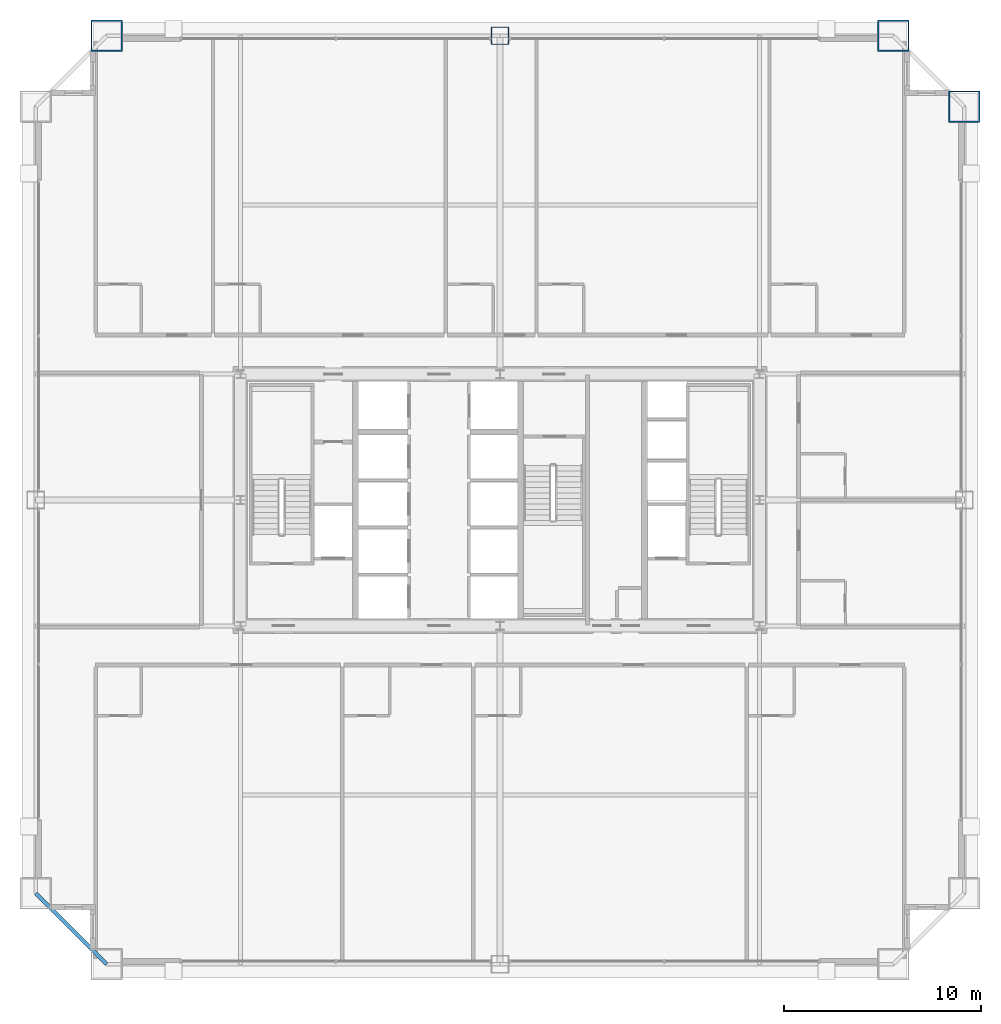
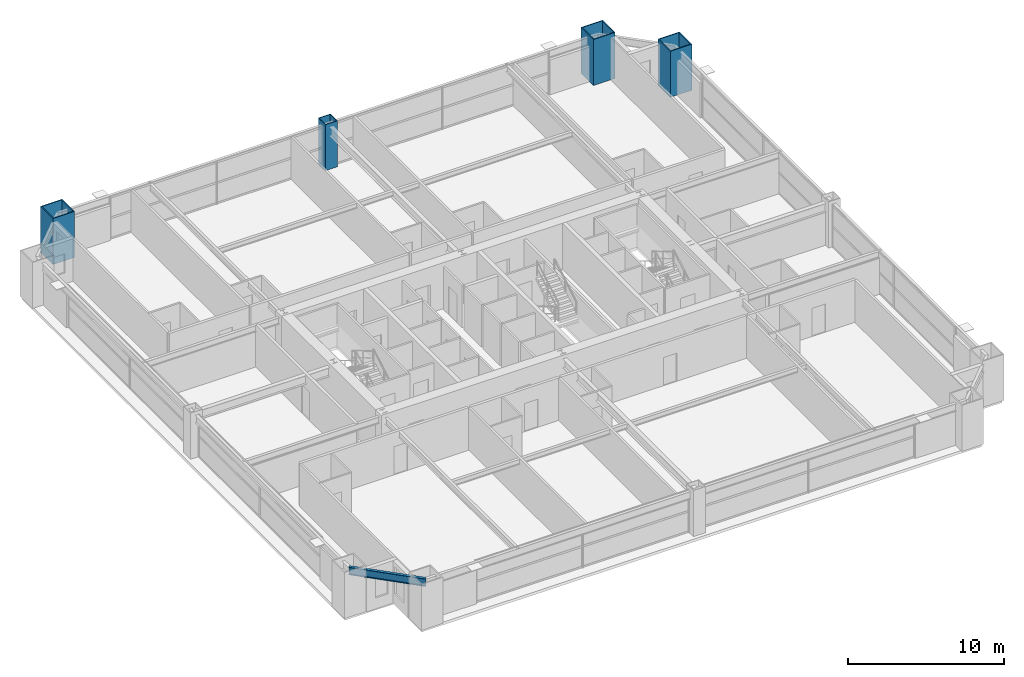
# One storey, part 2 of 38: 4 columns, 1 beam.
"""IFC4 building model written with IfcOpenShell, lengths in metres."""

from ifc_helpers import new_model, si_unit, direction, frame, origin, origin_2d, place, context, subcontext, project, spatial, hollow_rectangle, i_section, extrude, source, transform, mapped, material, material_profile, profile_set, type_object, element, save


model = new_model("IFC4")

# Units and contexts
model_context = context("Model", 3, precision=1e-05, world=origin(), true_north=direction((0.0, 1.0)))
body_context = subcontext(model_context, "Body", "Model", "MODEL_VIEW")
ifc_project = project(units=[si_unit("LENGTHUNIT", "METRE"), si_unit("AREAUNIT", "SQUARE_METRE"), si_unit("VOLUMEUNIT", "CUBIC_METRE"), si_unit("PLANEANGLEUNIT", "RADIAN"), si_unit("MASSUNIT", "GRAM", prefix="KILO"), si_unit("THERMODYNAMICTEMPERATUREUNIT", "KELVIN"), si_unit("POWERUNIT", "WATT")], contexts=[model_context])

# Site, building, storey
site_placement = place(None, origin())
site = spatial("IfcSite", under=ifc_project, at=site_placement, CompositionType="ELEMENT")
building_placement = place(site_placement, origin())
building = spatial("IfcBuilding", under=site, at=building_placement, Name="Yuzanri Waterfront Tower", CompositionType="ELEMENT")
storey_placement = place(building_placement, frame((0.0, 0.0, 126.199951171875)))
storey = spatial("IfcBuildingStorey", under=building, at=storey_placement, Name="L33", CompositionType="ELEMENT", Elevation=126.199951171875)

# Columns
ifc_material_1 = material(Name="Steel Q390GJC", Category="steel")
ifc_material_profile_1 = material_profile(ifc_material_1, hollow_rectangle(XDim=0.89990234375, YDim=0.89990234375, WallThickness=0.0419921875, at=origin_2d()), Name="RHS 900x900x42")
ifc_profile_set_1 = profile_set([ifc_material_profile_1], Name="Steel Q390GJC")
column_type_1 = type_object("IfcColumnType", Name="Frame Column Q390GJC RHS 900x900x42", PredefinedType="COLUMN", material=ifc_profile_set_1)
shared_shape_1 = source(origin(), body_context, "Body", "SweptSolid", [
    extrude(hollow_rectangle(XDim=0.89990234375, YDim=0.89990234375, WallThickness=0.0419921875, at=origin_2d()), origin(), (0.0, 0.0, 1.0), 3.60009765625),
])
column_placement = place(storey_placement, frame((37.0, 49.39990234375, 0.0), z_axis=(0.0, 0.0, 1.0), x_axis=(1.0, 0.0, 0.0)))
element("IfcColumn", 1, at=column_placement, inside=storey, type_object=column_type_1, Name="L33 Perimeter Frame Column N2", PredefinedType="COLUMN", context=body_context, shape_type="MappedRepresentation", body=[
    mapped(shared_shape_1, transform((0.0, 0.0, 0.0), scale=1.0)),
])
ifc_material_2 = material(Name="Steel Q420GJC", Category="steel")
ifc_material_profile_2 = material_profile(ifc_material_2, hollow_rectangle(XDim=1.60009765625, YDim=1.60009765625, WallThickness=0.070068359375, at=origin_2d()), Name="RHS 1600x1600x70")
ifc_profile_set_2 = profile_set([ifc_material_profile_2], Name="Steel Q420GJC")
column_type_2 = type_object("IfcColumnType", Name="Mega Column Q420GJC RHS 1600x1600x70", PredefinedType="COLUMN", material=ifc_profile_set_2)
shared_shape_2 = source(origin(), body_context, "Body", "SweptSolid", [
    extrude(hollow_rectangle(XDim=1.60009765625, YDim=1.60009765625, WallThickness=0.070068359375, at=origin_2d()), origin(), (0.0, 0.0, 1.0), 3.60009765625),
])
for number, where, z_axis, x_axis, name in (
    (2, (17.0, 49.39990234375, 0.0), (0.0, 0.0, 1.0), (1.0, 0.0, 0.0), "L33 Perimeter Mega Column N1"),
    (3, (57.0, 49.39990234375, 0.0), (0.0, 0.0, 1.0), (1.0, 0.0, 0.0), "L33 Perimeter Mega Column N3"),
    (4, (60.60009765625, 45.800048828125, 0.0), (0.0, 0.0, 1.0), (1.0, 0.0, 0.0), "L33 Perimeter Mega Column E3"),
):
    element("IfcColumn", number, at=place(storey_placement, frame(where, z_axis=z_axis, x_axis=x_axis)), inside=storey, type_object=column_type_2, Name=name, PredefinedType="COLUMN", context=body_context, shape_type="MappedRepresentation", body=[
        mapped(shared_shape_2, transform((0.0, 0.0, 0.0), scale=1.0)),
    ])

# Beam
ifc_material_3 = material(Name="Steel Q355B", Category="steel")
ifc_material_profile_3 = material_profile(ifc_material_3, i_section(OverallWidth=0.199951171875, OverallDepth=0.60009765625, WebThickness=0.010986328125, FlangeThickness=0.01708984375, at=origin_2d()), Name="HN 600x200x11x17")
ifc_profile_set_3 = profile_set([ifc_material_profile_3], Name="Steel Q355B")
beam_type = type_object("IfcBeamType", Name="Perimeter Spandrel Q355B HN 600x200", PredefinedType="SPANDREL", material=ifc_profile_set_3)
shared_shape_3 = source(origin(), body_context, "Body", "SweptSolid", [
    extrude(i_section(OverallWidth=0.199951171875, OverallDepth=0.60009765625, WebThickness=0.010986328125, FlangeThickness=0.01708984375, at=origin_2d()), origin(), (0.0, 0.0, 1.0), 5.09130859375),
])
beam_placement = place(storey_placement, frame((13.39990234375, 5.800048828125, 3.02001953125), z_axis=(0.707106781187, -0.707106781187, 0.0), x_axis=(0.707106781187, 0.707106781187, 0.0)))
element("IfcBeam", 5, at=beam_placement, inside=storey, type_object=beam_type, Name="L33 Perimeter Spandrel W1-S1", PredefinedType="SPANDREL", context=body_context, shape_type="MappedRepresentation", body=[
    mapped(shared_shape_3, transform((0.0, 0.0, 0.0), scale=1.0)),
])

save(model, "model.ifc")
